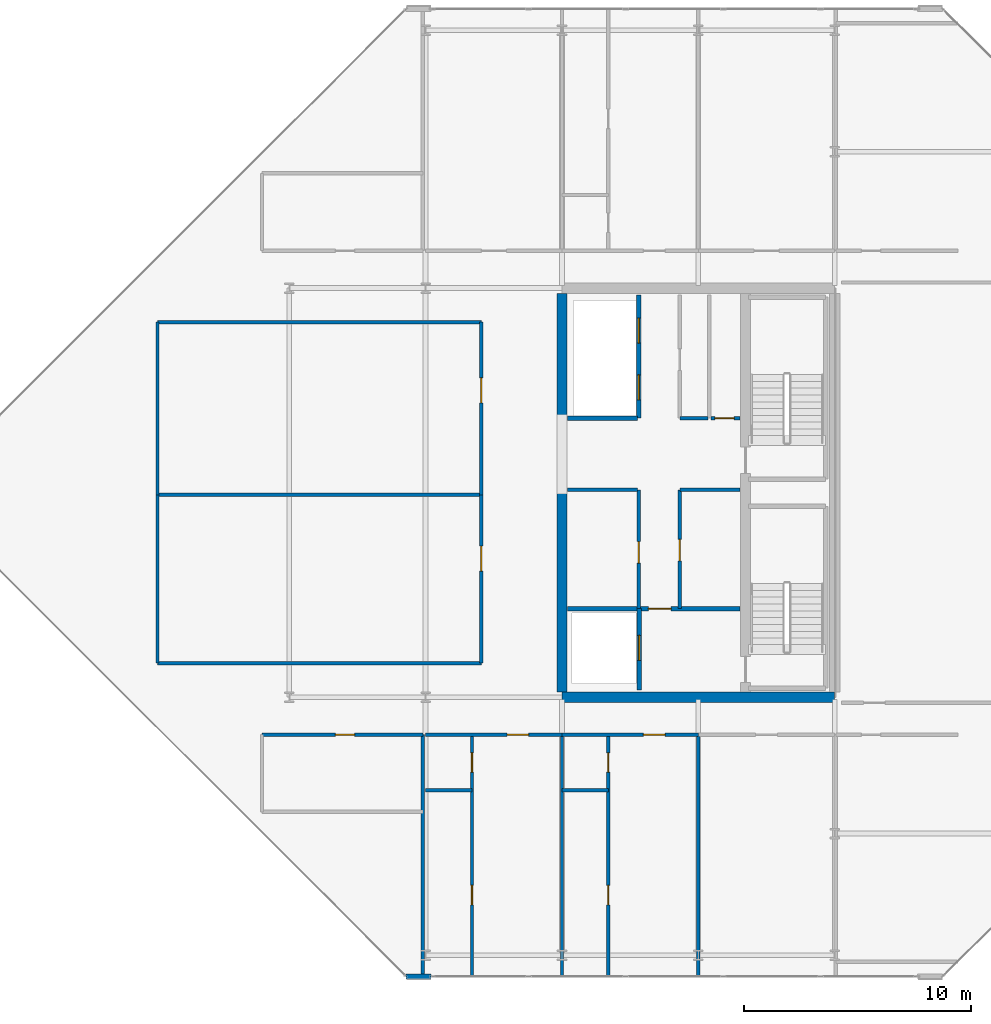
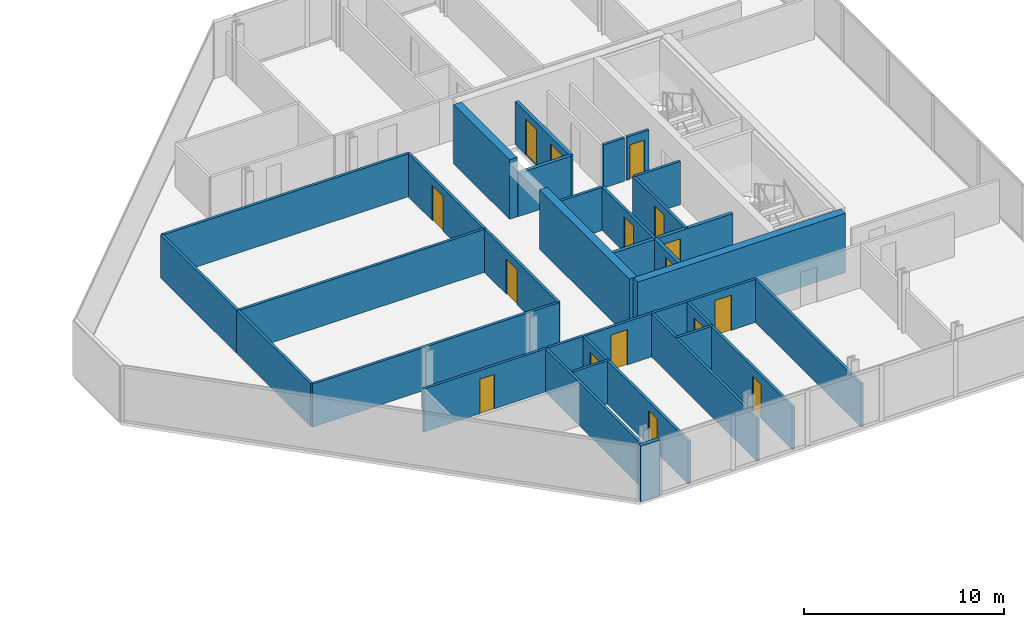
# One storey, part 15 of 19: 31 walls, 16 doors, 16 openings.
"""IFC4 building model written with IfcOpenShell, lengths in metres."""

from ifc_helpers import new_model, si_unit, direction, frame, frame_2d, origin, place, context, subcontext, project, spatial, rectangle, extrude, material, layer, layer_set, type_object, element, fill, save


model = new_model("IFC4")

# Units and contexts
model_context = context("Model", 3, precision=1e-05, world=origin(), true_north=direction((0.0, 1.0)))
body_context = subcontext(model_context, "Body", "Model", "MODEL_VIEW")
ifc_project = project(units=[si_unit("LENGTHUNIT", "METRE"), si_unit("AREAUNIT", "SQUARE_METRE"), si_unit("VOLUMEUNIT", "CUBIC_METRE"), si_unit("PLANEANGLEUNIT", "RADIAN"), si_unit("MASSUNIT", "GRAM", prefix="KILO")], contexts=[model_context])

# Site, building, storey
site_placement = place(None, origin())
site = spatial("IfcSite", under=ifc_project, at=site_placement, CompositionType="ELEMENT")
building_placement = place(site_placement, origin())
building = spatial("IfcBuilding", under=site, at=building_placement, Name="Tanjung Sevakor Pilgrim Tower", CompositionType="ELEMENT")
storey_placement = place(building_placement, frame((0.0, 0.0, 260.699951171875)))
storey = spatial("IfcBuildingStorey", under=building, at=storey_placement, Name="L73", CompositionType="ELEMENT", Elevation=260.699951171875)

# Walls
ifc_material_1 = material(Name="Concrete C60/75", Category="concrete")
ifc_layer_1 = layer(ifc_material_1, 0.449951171875)
ifc_layer_set_1 = layer_set([ifc_layer_1], Name="WALL-CW-450")
wall_type_1 = type_object("IfcWallType", Name="WALL-CW-450", PredefinedType="SHEAR", material=ifc_layer_set_1)
wall_1_placement = place(storey_placement, frame((78.0, 24.60009765625, 0.0), z_axis=(0.0, 0.0, 1.0), x_axis=(1.0, 0.0, 0.0)))
element("IfcWall", 1, at=wall_1_placement, inside=storey, type_object=wall_type_1, Name="L73 E Core South Shear Wall", PredefinedType="SHEAR", context=body_context, shape_type="SweptSolid", body=[
    extrude(rectangle(XDim=12.0, YDim=0.449951171875, at=frame_2d((6.0, 0.0))), origin(), (0.0, 0.0, 1.0), 3.630126953125),
])
wall_2_placement = place(storey_placement, frame((78.0, 24.824951171875, 0.0), z_axis=(0.0, 0.0, 1.0), x_axis=(0.0, 1.0, 0.0)))
element("IfcWall", 2, at=wall_2_placement, inside=storey, type_object=wall_type_1, Name="L73 E Core Inner Shear Wall South", PredefinedType="SHEAR", context=body_context, shape_type="SweptSolid", body=[
    extrude(rectangle(XDim=8.97509765625, YDim=0.449951171875, at=frame_2d((4.487548828125, 0.0))), origin(), (0.0, 0.0, 1.0), 3.630126953125),
])
wall_3_placement = place(storey_placement, frame((78.0, 36.800048828125, 0.0), z_axis=(0.0, 0.0, 1.0), x_axis=(0.0, 1.0, 0.0)))
element("IfcWall", 3, at=wall_3_placement, inside=storey, type_object=wall_type_1, Name="L73 E Core Inner Shear Wall North", PredefinedType="SHEAR", context=body_context, shape_type="SweptSolid", body=[
    extrude(rectangle(XDim=5.574951171875, YDim=0.449951171875, at=frame_2d((2.78759765625, 0.0))), origin(), (0.0, 0.0, 1.0), 3.630126953125),
])
ifc_material_2 = material(Name="Concrete C40/50", Category="concrete")
ifc_layer_2 = layer(ifc_material_2, 0.14990234375)
ifc_layer_set_2 = layer_set([ifc_layer_2], Name="WT-COMP-150")
wall_type_2 = type_object("IfcWallType", Name="WT-COMP-150", PredefinedType="SOLIDWALL", material=ifc_layer_set_2)
wall_4_placement = place(storey_placement, frame((83.199951171875, 33.719970703125, 0.0), z_axis=(0.0, 0.0, 1.0), x_axis=(1.0, 0.0, 0.0)))
element("IfcWall", 4, at=wall_4_placement, inside=storey, type_object=wall_type_2, Name="L73 Partition IW-L73-003", PredefinedType="SOLIDWALL", context=body_context, shape_type="SweptSolid", body=[
    extrude(rectangle(XDim=2.630126953125, YDim=0.14990234375, at=frame_2d((1.31494140625, 0.0))), origin(), (0.0, 0.0, 1.0), 2.6298828125),
])

# Wall, opening, door
wall_5_placement = place(storey_placement, frame((83.179931640625, 28.5, 0.0), z_axis=(0.0, 0.0, 1.0), x_axis=(0.0, 1.0, 0.0)))
wall_5 = element("IfcWall", 5, at=wall_5_placement, inside=storey, type_object=wall_type_2, Name="L73 Partition IW-L73-004", PredefinedType="SOLIDWALL", context=body_context, shape_type="SweptSolid", body=[
    extrude(rectangle(XDim=5.219970703125, YDim=0.14990234375, at=frame_2d((2.60986328125, 0.0))), origin(), (0.0, 0.0, 1.0), 2.6298828125),
])
opening_1_placement = place(wall_5_placement, frame((2.10009765625, 0.0, 0.0)))
opening_1 = element("IfcOpeningElement", 6, at=opening_1_placement, cuts=wall_5, Name="Opening ID-FD2", PredefinedType="OPENING", context=body_context, shape_type="SweptSolid", body=[
    extrude(rectangle(XDim=0.949951171875, YDim=2.14990234375, at=frame_2d((0.47509765625, 1.074951171875))), frame((0.0, 0.0849609375, 0.0), z_axis=(0.0, -1.0, 0.0), x_axis=(1.0, 0.0, 0.0)), (0.0, 0.0, 1.0), 0.169921875),
])
ifc_material_3 = material(Name="Fire-Rated Timber", Category="wood")
door_type_1 = type_object("IfcDoorType", Name="DT-FIRE-950", OperationType="NOTDEFINED", PredefinedType="DOOR", material=ifc_material_3)
door_1_placement = place(opening_1_placement, origin())
door_1 = element("IfcDoor", 7, at=door_1_placement, inside=storey, type_object=door_type_1, Name="L73 Housekeeping Pantry Door", OperationType="SINGLE_SWING_LEFT", OverallHeight=2.14990234375, OverallWidth=0.949951171875, PredefinedType="DOOR", context=body_context, shape_type="SweptSolid", body=[
    extrude(rectangle(XDim=0.949951171875, YDim=2.14990234375, at=frame_2d((0.47509765625, 1.074951171875))), frame((0.0, 0.02490234375, 0.0), z_axis=(0.0, -1.0, 0.0), x_axis=(1.0, 0.0, 0.0)), (0.0, 0.0, 1.0), 0.050048828125),
])
fill(opening_1, door_1)

# Wall
wall_6_placement = place(storey_placement, frame((78.2451171875, 33.719970703125, 0.0), z_axis=(0.0, 0.0, 1.0), x_axis=(1.0, 0.0, 0.0)))
element("IfcWall", 8, at=wall_6_placement, inside=storey, type_object=wall_type_2, Name="L73 Partition IW-L73-005", PredefinedType="SOLIDWALL", context=body_context, shape_type="SweptSolid", body=[
    extrude(rectangle(XDim=3.074951171875, YDim=0.14990234375, at=frame_2d((1.53759765625, 0.0))), origin(), (0.0, 0.0, 1.0), 2.6298828125),
])

# Wall, opening, door
wall_7_placement = place(storey_placement, frame((81.3798828125, 28.5, 0.0), z_axis=(0.0, 0.0, 1.0), x_axis=(0.0, 1.0, 0.0)))
wall_7 = element("IfcWall", 9, at=wall_7_placement, inside=storey, type_object=wall_type_2, Name="L73 Partition IW-L73-006", PredefinedType="SOLIDWALL", context=body_context, shape_type="SweptSolid", body=[
    extrude(rectangle(XDim=5.219970703125, YDim=0.14990234375, at=frame_2d((2.60986328125, 0.0))), origin(), (0.0, 0.0, 1.0), 2.6298828125),
])
opening_2_placement = place(wall_7_placement, frame((2.0, 0.0, 0.0)))
opening_2 = element("IfcOpeningElement", 10, at=opening_2_placement, cuts=wall_7, Name="Opening ID-FD2", PredefinedType="OPENING", context=body_context, shape_type="SweptSolid", body=[
    extrude(rectangle(XDim=0.949951171875, YDim=2.14990234375, at=frame_2d((0.47509765625, 1.074951171875))), frame((0.0, 0.0849609375, 0.0), z_axis=(0.0, -1.0, 0.0), x_axis=(1.0, 0.0, 0.0)), (0.0, 0.0, 1.0), 0.169921875),
])
door_2_placement = place(opening_2_placement, origin())
door_2 = element("IfcDoor", 11, at=door_2_placement, inside=storey, type_object=door_type_1, Name="L73 Accessible WC Door", OperationType="SINGLE_SWING_RIGHT", OverallHeight=2.14990234375, OverallWidth=0.949951171875, PredefinedType="DOOR", context=body_context, shape_type="SweptSolid", body=[
    extrude(rectangle(XDim=0.949951171875, YDim=2.14990234375, at=frame_2d((0.47509765625, 1.074951171875))), frame((0.0, 0.02490234375, 0.0), z_axis=(0.0, -1.0, 0.0), x_axis=(1.0, 0.0, 0.0)), (0.0, 0.0, 1.0), 0.050048828125),
])
fill(opening_2, door_2)

wall_8_placement = place(storey_placement, frame((84.550048828125, 36.8798828125, 0.0), z_axis=(0.0, 0.0, 1.0), x_axis=(1.0, 0.0, 0.0)))
wall_8 = element("IfcWall", 12, at=wall_8_placement, inside=storey, type_object=wall_type_2, Name="L73 Partition IW-L73-008", PredefinedType="SOLIDWALL", context=body_context, shape_type="SweptSolid", body=[
    extrude(rectangle(XDim=1.280029296875, YDim=0.14990234375, at=frame_2d((0.64013671875, 0.0))), origin(), (0.0, 0.0, 1.0), 2.6298828125),
])
opening_3_placement = place(wall_8_placement, frame((0.179931640625, 0.0, 0.0)))
opening_3 = element("IfcOpeningElement", 13, at=opening_3_placement, cuts=wall_8, Name="Opening ID-FD3", PredefinedType="OPENING", context=body_context, shape_type="SweptSolid", body=[
    extrude(rectangle(XDim=0.85009765625, YDim=2.10009765625, at=frame_2d((0.425048828125, 1.050048828125))), frame((0.0, 0.0849609375, 0.0), z_axis=(0.0, -1.0, 0.0), x_axis=(1.0, 0.0, 0.0)), (0.0, 0.0, 1.0), 0.169921875),
])
ifc_material_4 = material(Name="Fire-Rated Timber", Category="wood")
door_type_2 = type_object("IfcDoorType", Name="DT-FIRE-850", OperationType="NOTDEFINED", PredefinedType="DOOR", material=ifc_material_4)
door_3_placement = place(opening_3_placement, origin())
door_3 = element("IfcDoor", 14, at=door_3_placement, inside=storey, type_object=door_type_2, Name="L73 Service Store Door", OperationType="SINGLE_SWING_LEFT", OverallHeight=2.10009765625, OverallWidth=0.85009765625, PredefinedType="DOOR", context=body_context, shape_type="SweptSolid", body=[
    extrude(rectangle(XDim=0.85009765625, YDim=2.10009765625, at=frame_2d((0.425048828125, 1.050048828125))), frame((0.0, 0.02490234375, 0.0), z_axis=(0.0, -1.0, 0.0), x_axis=(1.0, 0.0, 0.0)), (0.0, 0.0, 1.0), 0.050048828125),
])
fill(opening_3, door_3)

# Wall
wall_9_placement = place(storey_placement, frame((83.199951171875, 36.8798828125, 0.0), z_axis=(0.0, 0.0, 1.0), x_axis=(1.0, 0.0, 0.0)))
element("IfcWall", 15, at=wall_9_placement, inside=storey, type_object=wall_type_2, Name="L73 Partition IW-L73-009", PredefinedType="SOLIDWALL", context=body_context, shape_type="SweptSolid", body=[
    extrude(rectangle(XDim=1.219970703125, YDim=0.14990234375, at=frame_2d((0.60986328125, 0.0))), origin(), (0.0, 0.0, 1.0), 2.6298828125),
])

# Wall, opening, door
wall_10_placement = place(storey_placement, frame((64.800048828125, 22.949951171875, 0.0), z_axis=(0.0, 0.0, 1.0), x_axis=(1.0, 0.0, 0.0)))
wall_10 = element("IfcWall", 16, at=wall_10_placement, inside=storey, type_object=wall_type_2, Name="L73 Partition IW-L73-014", PredefinedType="SOLIDWALL", context=body_context, shape_type="SweptSolid", body=[
    extrude(rectangle(XDim=7.079833984375, YDim=0.14990234375, at=frame_2d((3.5400390625, 0.0))), origin(), (0.0, 0.0, 1.0), 2.6298828125),
])
opening_4_placement = place(wall_10_placement, frame((3.22509765625, 0.0, 0.0)))
opening_4 = element("IfcOpeningElement", 17, at=opening_4_placement, cuts=wall_10, Name="Opening ID-WC1", PredefinedType="OPENING", context=body_context, shape_type="SweptSolid", body=[
    extrude(rectangle(XDim=0.85009765625, YDim=2.10009765625, at=frame_2d((0.425048828125, 1.050048828125))), frame((0.0, 0.0849609375, 0.0), z_axis=(0.0, -1.0, 0.0), x_axis=(1.0, 0.0, 0.0)), (0.0, 0.0, 1.0), 0.169921875),
])
ifc_material_5 = material(Name="Moisture-Resistant Timber", Category="wood")
door_type_3 = type_object("IfcDoorType", Name="DT-INT-850", OperationType="NOTDEFINED", PredefinedType="DOOR", material=ifc_material_5)
door_4_placement = place(opening_4_placement, origin())
door_4 = element("IfcDoor", 18, at=door_4_placement, inside=storey, type_object=door_type_3, Name="L73 SW Crown Suite Door", OperationType="SINGLE_SWING_LEFT", OverallHeight=2.10009765625, OverallWidth=0.85009765625, PredefinedType="DOOR", context=body_context, shape_type="SweptSolid", body=[
    extrude(rectangle(XDim=0.85009765625, YDim=2.10009765625, at=frame_2d((0.425048828125, 1.050048828125))), frame((0.0, 0.02490234375, 0.0), z_axis=(0.0, -1.0, 0.0), x_axis=(1.0, 0.0, 0.0)), (0.0, 0.0, 1.0), 0.050048828125),
])
fill(opening_4, door_4)

# Walls
for number, where, z_axis, x_axis, name in (
    (19, (71.8798828125, 12.340087890625, 0.0), (0.0, 0.0, 1.0), (0.0, 1.0, 0.0), "L73 Partition IW-L73-016"),
    (20, (78.0, 12.340087890625, 0.0), (0.0, 0.0, 1.0), (0.0, 1.0, 0.0), "L73 Partition IW-L73-029"),
):
    element("IfcWall", number, at=place(storey_placement, frame(where, z_axis=z_axis, x_axis=x_axis)), inside=storey, type_object=wall_type_2, Name=name, PredefinedType="SOLIDWALL", context=body_context, shape_type="SweptSolid", body=[
        extrude(rectangle(XDim=10.60986328125, YDim=0.14990234375, at=frame_2d((5.304931640625, 0.0))), origin(), (0.0, 0.0, 1.0), 2.6298828125),
    ])

# Wall, opening, door
wall_11_placement = place(storey_placement, frame((72.0, 22.949951171875, 0.0), z_axis=(0.0, 0.0, 1.0), x_axis=(1.0, 0.0, 0.0)))
wall_11 = element("IfcWall", 21, at=wall_11_placement, inside=storey, type_object=wall_type_2, Name="L73 Partition IW-L73-032", PredefinedType="SOLIDWALL", context=body_context, shape_type="SweptSolid", body=[
    extrude(rectangle(XDim=6.0, YDim=0.14990234375, at=frame_2d((3.0, 0.0))), origin(), (0.0, 0.0, 1.0), 2.6298828125),
])
opening_5_placement = place(wall_11_placement, frame((3.5849609375, 0.0, 0.0)))
opening_5 = element("IfcOpeningElement", 22, at=opening_5_placement, cuts=wall_11, Name="Opening ID-FD2", PredefinedType="OPENING", context=body_context, shape_type="SweptSolid", body=[
    extrude(rectangle(XDim=0.949951171875, YDim=2.14990234375, at=frame_2d((0.47509765625, 1.074951171875))), frame((0.0, 0.0849609375, 0.0), z_axis=(0.0, -1.0, 0.0), x_axis=(1.0, 0.0, 0.0)), (0.0, 0.0, 1.0), 0.169921875),
])
door_5_placement = place(opening_5_placement, origin())
door_5 = element("IfcDoor", 23, at=door_5_placement, inside=storey, type_object=door_type_1, Name="Hostel Quad Entrance", OperationType="SINGLE_SWING_RIGHT", OverallHeight=2.14990234375, OverallWidth=0.949951171875, PredefinedType="DOOR", context=body_context, shape_type="SweptSolid", body=[
    extrude(rectangle(XDim=0.949951171875, YDim=2.14990234375, at=frame_2d((0.47509765625, 1.074951171875))), frame((0.0, 0.02490234375, 0.0), z_axis=(0.0, -1.0, 0.0), x_axis=(1.0, 0.0, 0.0)), (0.0, 0.0, 1.0), 0.050048828125),
])
fill(opening_5, door_5)

# Wall
wall_12_placement = place(storey_placement, frame((84.0, 12.340087890625, 0.0), z_axis=(0.0, 0.0, 1.0), x_axis=(0.0, 1.0, 0.0)))
element("IfcWall", 24, at=wall_12_placement, inside=storey, type_object=wall_type_2, Name="L73 Partition IW-L73-033", PredefinedType="SOLIDWALL", context=body_context, shape_type="SweptSolid", body=[
    extrude(rectangle(XDim=10.60986328125, YDim=0.14990234375, at=frame_2d((5.304931640625, 0.0))), origin(), (0.0, 0.0, 1.0), 2.6298828125),
])

# Wall, opening, door
wall_13_placement = place(storey_placement, frame((78.0, 22.949951171875, 0.0), z_axis=(0.0, 0.0, 1.0), x_axis=(1.0, 0.0, 0.0)))
wall_13 = element("IfcWall", 25, at=wall_13_placement, inside=storey, type_object=wall_type_2, Name="L73 Partition IW-L73-036", PredefinedType="SOLIDWALL", context=body_context, shape_type="SweptSolid", body=[
    extrude(rectangle(XDim=6.0, YDim=0.14990234375, at=frame_2d((3.0, 0.0))), origin(), (0.0, 0.0, 1.0), 2.6298828125),
])
opening_6_placement = place(wall_13_placement, frame((3.5849609375, 0.0, 0.0)))
opening_6 = element("IfcOpeningElement", 26, at=opening_6_placement, cuts=wall_13, Name="Opening ID-FD2", PredefinedType="OPENING", context=body_context, shape_type="SweptSolid", body=[
    extrude(rectangle(XDim=0.949951171875, YDim=2.14990234375, at=frame_2d((0.47509765625, 1.074951171875))), frame((0.0, 0.0849609375, 0.0), z_axis=(0.0, -1.0, 0.0), x_axis=(1.0, 0.0, 0.0)), (0.0, 0.0, 1.0), 0.169921875),
])
door_6_placement = place(opening_6_placement, origin())
door_6 = element("IfcDoor", 27, at=door_6_placement, inside=storey, type_object=door_type_1, Name="Hotel Guestroom Entrance", OperationType="SINGLE_SWING_LEFT", OverallHeight=2.14990234375, OverallWidth=0.949951171875, PredefinedType="DOOR", context=body_context, shape_type="SweptSolid", body=[
    extrude(rectangle(XDim=0.949951171875, YDim=2.14990234375, at=frame_2d((0.47509765625, 1.074951171875))), frame((0.0, 0.02490234375, 0.0), z_axis=(0.0, -1.0, 0.0), x_axis=(1.0, 0.0, 0.0)), (0.0, 0.0, 1.0), 0.050048828125),
])
fill(opening_6, door_6)

# Walls
for number, where, z_axis, x_axis, name in (
    (28, (60.199951171875, 26.10009765625, 0.0), (0.0, 0.0, 1.0), (1.0, 0.0, 0.0), "L73 Partition IW-L73-045"),
    (29, (60.199951171875, 33.5, 0.0), (0.0, 0.0, 1.0), (1.0, 0.0, 0.0), "L73 Partition IW-L73-046"),
):
    element("IfcWall", number, at=place(storey_placement, frame(where, z_axis=z_axis, x_axis=x_axis)), inside=storey, type_object=wall_type_2, Name=name, PredefinedType="SOLIDWALL", context=body_context, shape_type="SweptSolid", body=[
        extrude(rectangle(XDim=14.25, YDim=0.14990234375, at=frame_2d((7.125, 0.0))), origin(), (0.0, 0.0, 1.0), 2.6298828125),
    ])
wall_14_placement = place(storey_placement, frame((60.199951171875, 26.10009765625, 0.0), z_axis=(0.0, 0.0, 1.0), x_axis=(0.0, 1.0, 0.0)))
element("IfcWall", 30, at=wall_14_placement, inside=storey, type_object=wall_type_2, Name="L73 Partition IW-L73-047", PredefinedType="SOLIDWALL", context=body_context, shape_type="SweptSolid", body=[
    extrude(rectangle(XDim=7.39990234375, YDim=0.14990234375, at=frame_2d((3.699951171875, 0.0))), origin(), (0.0, 0.0, 1.0), 2.6298828125),
])

# Wall, opening, door
wall_15_placement = place(storey_placement, frame((74.449951171875, 26.10009765625, 0.0), z_axis=(0.0, 0.0, 1.0), x_axis=(0.0, 1.0, 0.0)))
wall_15 = element("IfcWall", 31, at=wall_15_placement, inside=storey, type_object=wall_type_2, Name="L73 Partition IW-L73-048", PredefinedType="SOLIDWALL", context=body_context, shape_type="SweptSolid", body=[
    extrude(rectangle(XDim=7.39990234375, YDim=0.14990234375, at=frame_2d((3.699951171875, 0.0))), origin(), (0.0, 0.0, 1.0), 2.6298828125),
])
opening_7_placement = place(wall_15_placement, frame((4.050048828125, 0.0, 0.0)))
opening_7 = element("IfcOpeningElement", 32, at=opening_7_placement, cuts=wall_15, Name="Opening ID-RM2", PredefinedType="OPENING", context=body_context, shape_type="SweptSolid", body=[
    extrude(rectangle(XDim=1.10009765625, YDim=2.14990234375, at=frame_2d((0.550048828125, 1.074951171875))), frame((0.0, 0.0849609375, 0.0), z_axis=(0.0, -1.0, 0.0), x_axis=(1.0, 0.0, 0.0)), (0.0, 0.0, 1.0), 0.169921875),
])
ifc_material_6 = material(Name="Hardwood Timber", Category="wood")
door_type_4 = type_object("IfcDoorType", Name="DT-INT-1100", OperationType="NOTDEFINED", PredefinedType="DOOR", material=ifc_material_6)
door_7_placement = place(opening_7_placement, origin())
door_7 = element("IfcDoor", 33, at=door_7_placement, inside=storey, type_object=door_type_4, Name="L73 Crown Chapel Door", OperationType="SINGLE_SWING_RIGHT", OverallHeight=2.14990234375, OverallWidth=1.10009765625, PredefinedType="DOOR", context=body_context, shape_type="SweptSolid", body=[
    extrude(rectangle(XDim=1.10009765625, YDim=2.14990234375, at=frame_2d((0.550048828125, 1.074951171875))), frame((0.0, 0.02490234375, 0.0), z_axis=(0.0, -1.0, 0.0), x_axis=(1.0, 0.0, 0.0)), (0.0, 0.0, 1.0), 0.050048828125),
])
fill(opening_7, door_7)

# Walls
wall_16_placement = place(storey_placement, frame((60.199951171875, 41.10009765625, 0.0), z_axis=(0.0, 0.0, 1.0), x_axis=(1.0, 0.0, 0.0)))
element("IfcWall", 34, at=wall_16_placement, inside=storey, type_object=wall_type_2, Name="L73 Partition IW-L73-049", PredefinedType="SOLIDWALL", context=body_context, shape_type="SweptSolid", body=[
    extrude(rectangle(XDim=14.25, YDim=0.14990234375, at=frame_2d((7.125, 0.0))), origin(), (0.0, 0.0, 1.0), 2.6298828125),
])
wall_17_placement = place(storey_placement, frame((60.199951171875, 33.5, 0.0), z_axis=(0.0, 0.0, 1.0), x_axis=(0.0, 1.0, 0.0)))
element("IfcWall", 35, at=wall_17_placement, inside=storey, type_object=wall_type_2, Name="L73 Partition IW-L73-050", PredefinedType="SOLIDWALL", context=body_context, shape_type="SweptSolid", body=[
    extrude(rectangle(XDim=7.60009765625, YDim=0.14990234375, at=frame_2d((3.800048828125, 0.0))), origin(), (0.0, 0.0, 1.0), 2.6298828125),
])

# Wall, opening, door
wall_18_placement = place(storey_placement, frame((74.449951171875, 33.5, 0.0), z_axis=(0.0, 0.0, 1.0), x_axis=(0.0, 1.0, 0.0)))
wall_18 = element("IfcWall", 36, at=wall_18_placement, inside=storey, type_object=wall_type_2, Name="L73 Partition IW-L73-051", PredefinedType="SOLIDWALL", context=body_context, shape_type="SweptSolid", body=[
    extrude(rectangle(XDim=7.60009765625, YDim=0.14990234375, at=frame_2d((3.800048828125, 0.0))), origin(), (0.0, 0.0, 1.0), 2.6298828125),
])
opening_8_placement = place(wall_18_placement, frame((4.050048828125, 0.0, 0.0)))
opening_8 = element("IfcOpeningElement", 37, at=opening_8_placement, cuts=wall_18, Name="Opening ID-RM2", PredefinedType="OPENING", context=body_context, shape_type="SweptSolid", body=[
    extrude(rectangle(XDim=1.10009765625, YDim=2.14990234375, at=frame_2d((0.550048828125, 1.074951171875))), frame((0.0, 0.0849609375, 0.0), z_axis=(0.0, -1.0, 0.0), x_axis=(1.0, 0.0, 0.0)), (0.0, 0.0, 1.0), 0.169921875),
])
door_8_placement = place(opening_8_placement, origin())
door_8 = element("IfcDoor", 38, at=door_8_placement, inside=storey, type_object=door_type_4, Name="L73 Crown Lounge Door", OperationType="SINGLE_SWING_LEFT", OverallHeight=2.14990234375, OverallWidth=1.10009765625, PredefinedType="DOOR", context=body_context, shape_type="SweptSolid", body=[
    extrude(rectangle(XDim=1.10009765625, YDim=2.14990234375, at=frame_2d((0.550048828125, 1.074951171875))), frame((0.0, 0.02490234375, 0.0), z_axis=(0.0, -1.0, 0.0), x_axis=(1.0, 0.0, 0.0)), (0.0, 0.0, 1.0), 0.050048828125),
])
fill(opening_8, door_8)

# Wall
ifc_material_7 = material(Name="Precast concrete C45/55", Category="concrete")
ifc_layer_3 = layer(ifc_material_7, 0.219970703125)
ifc_layer_set_3 = layer_set([ifc_layer_3], Name="WT-EW-STN4")
wall_type_3 = type_object("IfcWallType", Name="WT-EW-STN4", PredefinedType="SOLIDWALL", material=ifc_layer_set_3)
wall_19_placement = place(storey_placement, frame((71.1455078125, 12.31005859375, 0.0), z_axis=(0.0, 0.0, 1.0), x_axis=(1.0, 0.0, 0.0)))
element("IfcWall", 39, at=wall_19_placement, inside=storey, type_object=wall_type_3, Name="L73 EAST Crown Pier 0-1A", PredefinedType="SOLIDWALL", context=body_context, shape_type="SweptSolid", body=[
    extrude(rectangle(XDim=1.10009765625, YDim=0.219970703125, at=frame_2d((0.550048828125, 0.0))), origin(), (0.0, 0.0, 1.0), 3.409912109375),
])

# Wall, opening, door
ifc_material_8 = material(Name="Concrete C40/50", Category="concrete")
ifc_layer_4 = layer(ifc_material_8, 0.199951171875)
ifc_layer_set_4 = layer_set([ifc_layer_4], Name="WT-FPRT-200")
wall_type_4 = type_object("IfcWallType", Name="WT-FPRT-200", PredefinedType="SOLIDWALL", material=ifc_layer_set_4)
wall_20_placement = place(storey_placement, frame((81.39990234375, 24.919921875, 0.0), z_axis=(0.0, 0.0, 1.0), x_axis=(0.0, 1.0, 0.0)))
wall_20 = element("IfcWall", 40, at=wall_20_placement, inside=storey, type_object=wall_type_4, Name="L73 Partition IW-L73-001", PredefinedType="SOLIDWALL", context=body_context, shape_type="SweptSolid", body=[
    extrude(rectangle(XDim=3.580078125, YDim=0.199951171875, at=frame_2d((1.7900390625, 0.0))), origin(), (0.0, 0.0, 1.0), 2.6298828125),
])
opening_9_placement = place(wall_20_placement, frame((1.300048828125, 0.0, 0.0)))
opening_9 = element("IfcOpeningElement", 41, at=opening_9_placement, cuts=wall_20, Name="Opening LD-1100", PredefinedType="OPENING", context=body_context, shape_type="SweptSolid", body=[
    extrude(rectangle(XDim=1.10009765625, YDim=2.199951171875, at=frame_2d((0.550048828125, 1.10009765625))), frame((0.0, 0.10986328125, 0.0), z_axis=(0.0, -1.0, 0.0), x_axis=(1.0, 0.0, 0.0)), (0.0, 0.0, 1.0), 0.219970703125),
])
ifc_material_9 = material(Name="Brushed Stainless Steel S355J2", Category="steel")
door_type_5 = type_object("IfcDoorType", Name="DT-LIFT-1100", OperationType="SLIDING_TO_LEFT", PredefinedType="DOOR", material=ifc_material_9)
door_9_placement = place(opening_9_placement, origin())
door_9 = element("IfcDoor", 42, at=door_9_placement, inside=storey, type_object=door_type_5, Name="LD-FL-E", OperationType="SLIDING_TO_LEFT", OverallHeight=2.199951171875, OverallWidth=1.10009765625, PredefinedType="DOOR", context=body_context, shape_type="SweptSolid", body=[
    extrude(rectangle(XDim=1.10009765625, YDim=2.199951171875, at=frame_2d((0.550048828125, 1.10009765625))), frame((0.0, 0.02490234375, 0.0), z_axis=(0.0, -1.0, 0.0), x_axis=(1.0, 0.0, 0.0)), (0.0, 0.0, 1.0), 0.050048828125),
])
fill(opening_9, door_9)

wall_21_placement = place(storey_placement, frame((78.2451171875, 28.5, 0.0), z_axis=(0.0, 0.0, 1.0), x_axis=(1.0, 0.0, 0.0)))
wall_21 = element("IfcWall", 43, at=wall_21_placement, inside=storey, type_object=wall_type_4, Name="L73 Partition IW-L73-002", PredefinedType="SOLIDWALL", context=body_context, shape_type="SweptSolid", body=[
    extrude(rectangle(XDim=7.5849609375, YDim=0.199951171875, at=frame_2d((3.79248046875, 0.0))), origin(), (0.0, 0.0, 1.0), 2.6298828125),
])
opening_10_placement = place(wall_21_placement, frame((3.554931640625, 0.0, 0.0)))
opening_10 = element("IfcOpeningElement", 44, at=opening_10_placement, cuts=wall_21, Name="Opening ID-FD1", PredefinedType="OPENING", context=body_context, shape_type="SweptSolid", body=[
    extrude(rectangle(XDim=1.0, YDim=2.14990234375, at=frame_2d((0.5, 1.074951171875))), frame((0.0, 0.10986328125, 0.0), z_axis=(0.0, -1.0, 0.0), x_axis=(1.0, 0.0, 0.0)), (0.0, 0.0, 1.0), 0.219970703125),
])
ifc_material_10 = material(Name="Fire-Rated Steel S355J2", Category="steel")
door_type_6 = type_object("IfcDoorType", Name="DT-FIRE-1000", OperationType="NOTDEFINED", PredefinedType="DOOR", material=ifc_material_10)
door_10_placement = place(opening_10_placement, origin())
door_10 = element("IfcDoor", 45, at=door_10_placement, inside=storey, type_object=door_type_6, Name="Fire Lobby Door E", OperationType="SINGLE_SWING_RIGHT", OverallHeight=2.14990234375, OverallWidth=1.0, PredefinedType="DOOR", context=body_context, shape_type="SweptSolid", body=[
    extrude(rectangle(XDim=1.0, YDim=2.14990234375, at=frame_2d((0.5, 1.074951171875))), frame((0.0, 0.02490234375, 0.0), z_axis=(0.0, -1.0, 0.0), x_axis=(1.0, 0.0, 0.0)), (0.0, 0.0, 1.0), 0.050048828125),
])
fill(opening_10, door_10)

# Wall
wall_22_placement = place(storey_placement, frame((78.2451171875, 36.8798828125, 0.0), z_axis=(0.0, 0.0, 1.0), x_axis=(1.0, 0.0, 0.0)))
element("IfcWall", 46, at=wall_22_placement, inside=storey, type_object=wall_type_4, Name="L73 Partition IW-L73-011", PredefinedType="SOLIDWALL", context=body_context, shape_type="SweptSolid", body=[
    extrude(rectangle(XDim=3.074951171875, YDim=0.199951171875, at=frame_2d((1.53759765625, 0.0))), origin(), (0.0, 0.0, 1.0), 2.6298828125),
])

# Wall, openings, doors
wall_23_placement = place(storey_placement, frame((81.3798828125, 36.8798828125, 0.0), z_axis=(0.0, 0.0, 1.0), x_axis=(0.0, 1.0, 0.0)))
wall_23 = element("IfcWall", 47, at=wall_23_placement, inside=storey, type_object=wall_type_4, Name="L73 Partition IW-L73-012", PredefinedType="SOLIDWALL", context=body_context, shape_type="SweptSolid", body=[
    extrude(rectangle(XDim=5.420166015625, YDim=0.199951171875, at=frame_2d((2.7099609375, 0.0))), origin(), (0.0, 0.0, 1.0), 2.6298828125),
])
opening_11_placement = place(wall_23_placement, frame((0.800048828125, 0.0, 0.0)))
opening_11 = element("IfcOpeningElement", 48, at=opening_11_placement, cuts=wall_23, Name="Opening LD-1100", PredefinedType="OPENING", context=body_context, shape_type="SweptSolid", body=[
    extrude(rectangle(XDim=1.10009765625, YDim=2.199951171875, at=frame_2d((0.550048828125, 1.10009765625))), frame((0.0, 0.10986328125, 0.0), z_axis=(0.0, -1.0, 0.0), x_axis=(1.0, 0.0, 0.0)), (0.0, 0.0, 1.0), 0.219970703125),
])
opening_12_placement = place(wall_23_placement, frame((3.300048828125, 0.0, 0.0)))
opening_12 = element("IfcOpeningElement", 49, at=opening_12_placement, cuts=wall_23, Name="Opening LD-1100", PredefinedType="OPENING", context=body_context, shape_type="SweptSolid", body=[
    extrude(rectangle(XDim=1.10009765625, YDim=2.199951171875, at=frame_2d((0.550048828125, 1.10009765625))), frame((0.0, 0.10986328125, 0.0), z_axis=(0.0, -1.0, 0.0), x_axis=(1.0, 0.0, 0.0)), (0.0, 0.0, 1.0), 0.219970703125),
])
door_11_placement = place(opening_11_placement, origin())
door_11 = element("IfcDoor", 50, at=door_11_placement, inside=storey, type_object=door_type_5, Name="LD-PLH1-E", OperationType="SLIDING_TO_LEFT", OverallHeight=2.199951171875, OverallWidth=1.10009765625, PredefinedType="DOOR", context=body_context, shape_type="SweptSolid", body=[
    extrude(rectangle(XDim=1.10009765625, YDim=2.199951171875, at=frame_2d((0.550048828125, 1.10009765625))), frame((0.0, 0.02490234375, 0.0), z_axis=(0.0, -1.0, 0.0), x_axis=(1.0, 0.0, 0.0)), (0.0, 0.0, 1.0), 0.050048828125),
])
fill(opening_11, door_11)
door_12_placement = place(opening_12_placement, origin())
door_12 = element("IfcDoor", 51, at=door_12_placement, inside=storey, type_object=door_type_5, Name="LD-PLH2-E", OperationType="SLIDING_TO_RIGHT", OverallHeight=2.199951171875, OverallWidth=1.10009765625, PredefinedType="DOOR", context=body_context, shape_type="SweptSolid", body=[
    extrude(rectangle(XDim=1.10009765625, YDim=2.199951171875, at=frame_2d((0.550048828125, 1.10009765625))), frame((0.0, 0.02490234375, 0.0), z_axis=(0.0, -1.0, 0.0), x_axis=(1.0, 0.0, 0.0)), (0.0, 0.0, 1.0), 0.050048828125),
])
fill(opening_12, door_12)

# Wall
ifc_material_11 = material(Name="Gypsum Board Partition", Category="gypsum board")
ifc_layer_5 = layer(ifc_material_11, 0.14990234375)
ifc_layer_set_5 = layer_set([ifc_layer_5], Name="WT-PART-150")
wall_type_5 = type_object("IfcWallType", Name="WT-PART-150", PredefinedType="PARTITIONING", material=ifc_layer_set_5)
wall_24_placement = place(storey_placement, frame((72.0, 20.5, 0.0), z_axis=(0.0, 0.0, 1.0), x_axis=(1.0, 0.0, 0.0)))
element("IfcWall", 52, at=wall_24_placement, inside=storey, type_object=wall_type_5, Name="L73 Partition IW-L73-030", PredefinedType="PARTITIONING", context=body_context, shape_type="SweptSolid", body=[
    extrude(rectangle(XDim=2.0400390625, YDim=0.14990234375, at=frame_2d((1.02001953125, 0.0))), origin(), (0.0, 0.0, 1.0), 2.6298828125),
])

# Wall, openings, doors
wall_25_placement = place(storey_placement, frame((74.0400390625, 12.340087890625, 0.0), z_axis=(0.0, 0.0, 1.0), x_axis=(0.0, 1.0, 0.0)))
wall_25 = element("IfcWall", 53, at=wall_25_placement, inside=storey, type_object=wall_type_5, Name="L73 Partition IW-L73-031", PredefinedType="PARTITIONING", context=body_context, shape_type="SweptSolid", body=[
    extrude(rectangle(XDim=10.60986328125, YDim=0.14990234375, at=frame_2d((5.304931640625, 0.0))), origin(), (0.0, 0.0, 1.0), 2.6298828125),
])
opening_13_placement = place(wall_25_placement, frame((3.1240234375, 0.0, 0.0)))
opening_13 = element("IfcOpeningElement", 54, at=opening_13_placement, cuts=wall_25, Name="Opening ID-WC1", PredefinedType="OPENING", context=body_context, shape_type="SweptSolid", body=[
    extrude(rectangle(XDim=0.85009765625, YDim=2.10009765625, at=frame_2d((0.425048828125, 1.050048828125))), frame((0.0, 0.0849609375, 0.0), z_axis=(0.0, -1.0, 0.0), x_axis=(1.0, 0.0, 0.0)), (0.0, 0.0, 1.0), 0.169921875),
])
opening_14_placement = place(wall_25_placement, frame((8.9599609375, 0.0, 0.0)))
opening_14 = element("IfcOpeningElement", 55, at=opening_14_placement, cuts=wall_25, Name="Opening ID-WC1", PredefinedType="OPENING", context=body_context, shape_type="SweptSolid", body=[
    extrude(rectangle(XDim=0.85009765625, YDim=2.10009765625, at=frame_2d((0.425048828125, 1.050048828125))), frame((0.0, 0.0849609375, 0.0), z_axis=(0.0, -1.0, 0.0), x_axis=(1.0, 0.0, 0.0)), (0.0, 0.0, 1.0), 0.169921875),
])
door_13_placement = place(opening_13_placement, origin())
door_13 = element("IfcDoor", 56, at=door_13_placement, inside=storey, type_object=door_type_3, Name="Study Nook Door", OperationType="SINGLE_SWING_RIGHT", OverallHeight=2.10009765625, OverallWidth=0.85009765625, PredefinedType="DOOR", context=body_context, shape_type="SweptSolid", body=[
    extrude(rectangle(XDim=0.85009765625, YDim=2.10009765625, at=frame_2d((0.425048828125, 1.050048828125))), frame((0.0, 0.02490234375, 0.0), z_axis=(0.0, -1.0, 0.0), x_axis=(1.0, 0.0, 0.0)), (0.0, 0.0, 1.0), 0.050048828125),
])
fill(opening_13, door_13)
door_14_placement = place(opening_14_placement, origin())
door_14 = element("IfcDoor", 57, at=door_14_placement, inside=storey, type_object=door_type_3, Name="Bathroom Door", OperationType="SINGLE_SWING_LEFT", OverallHeight=2.10009765625, OverallWidth=0.85009765625, PredefinedType="DOOR", context=body_context, shape_type="SweptSolid", body=[
    extrude(rectangle(XDim=0.85009765625, YDim=2.10009765625, at=frame_2d((0.425048828125, 1.050048828125))), frame((0.0, 0.02490234375, 0.0), z_axis=(0.0, -1.0, 0.0), x_axis=(1.0, 0.0, 0.0)), (0.0, 0.0, 1.0), 0.050048828125),
])
fill(opening_14, door_14)

# Wall
wall_26_placement = place(storey_placement, frame((78.0, 20.5, 0.0), z_axis=(0.0, 0.0, 1.0), x_axis=(1.0, 0.0, 0.0)))
element("IfcWall", 58, at=wall_26_placement, inside=storey, type_object=wall_type_5, Name="L73 Partition IW-L73-034", PredefinedType="PARTITIONING", context=body_context, shape_type="SweptSolid", body=[
    extrude(rectangle(XDim=2.0400390625, YDim=0.14990234375, at=frame_2d((1.02001953125, 0.0))), origin(), (0.0, 0.0, 1.0), 2.6298828125),
])

# Wall, openings, doors
wall_27_placement = place(storey_placement, frame((80.0400390625, 12.340087890625, 0.0), z_axis=(0.0, 0.0, 1.0), x_axis=(0.0, 1.0, 0.0)))
wall_27 = element("IfcWall", 59, at=wall_27_placement, inside=storey, type_object=wall_type_5, Name="L73 Partition IW-L73-035", PredefinedType="PARTITIONING", context=body_context, shape_type="SweptSolid", body=[
    extrude(rectangle(XDim=10.60986328125, YDim=0.14990234375, at=frame_2d((5.304931640625, 0.0))), origin(), (0.0, 0.0, 1.0), 2.6298828125),
])
opening_15_placement = place(wall_27_placement, frame((3.1240234375, 0.0, 0.0)))
opening_15 = element("IfcOpeningElement", 60, at=opening_15_placement, cuts=wall_27, Name="Opening ID-WC1", PredefinedType="OPENING", context=body_context, shape_type="SweptSolid", body=[
    extrude(rectangle(XDim=0.85009765625, YDim=2.10009765625, at=frame_2d((0.425048828125, 1.050048828125))), frame((0.0, 0.0849609375, 0.0), z_axis=(0.0, -1.0, 0.0), x_axis=(1.0, 0.0, 0.0)), (0.0, 0.0, 1.0), 0.169921875),
])
opening_16_placement = place(wall_27_placement, frame((8.9599609375, 0.0, 0.0)))
opening_16 = element("IfcOpeningElement", 61, at=opening_16_placement, cuts=wall_27, Name="Opening ID-WC1", PredefinedType="OPENING", context=body_context, shape_type="SweptSolid", body=[
    extrude(rectangle(XDim=0.85009765625, YDim=2.10009765625, at=frame_2d((0.425048828125, 1.050048828125))), frame((0.0, 0.0849609375, 0.0), z_axis=(0.0, -1.0, 0.0), x_axis=(1.0, 0.0, 0.0)), (0.0, 0.0, 1.0), 0.169921875),
])
door_15_placement = place(opening_15_placement, origin())
door_15 = element("IfcDoor", 62, at=door_15_placement, inside=storey, type_object=door_type_3, Name="Study Nook Door", OperationType="SINGLE_SWING_LEFT", OverallHeight=2.10009765625, OverallWidth=0.85009765625, PredefinedType="DOOR", context=body_context, shape_type="SweptSolid", body=[
    extrude(rectangle(XDim=0.85009765625, YDim=2.10009765625, at=frame_2d((0.425048828125, 1.050048828125))), frame((0.0, 0.02490234375, 0.0), z_axis=(0.0, -1.0, 0.0), x_axis=(1.0, 0.0, 0.0)), (0.0, 0.0, 1.0), 0.050048828125),
])
fill(opening_15, door_15)
door_16_placement = place(opening_16_placement, origin())
door_16 = element("IfcDoor", 63, at=door_16_placement, inside=storey, type_object=door_type_3, Name="Bathroom Door", OperationType="SINGLE_SWING_RIGHT", OverallHeight=2.10009765625, OverallWidth=0.85009765625, PredefinedType="DOOR", context=body_context, shape_type="SweptSolid", body=[
    extrude(rectangle(XDim=0.85009765625, YDim=2.10009765625, at=frame_2d((0.425048828125, 1.050048828125))), frame((0.0, 0.02490234375, 0.0), z_axis=(0.0, -1.0, 0.0), x_axis=(1.0, 0.0, 0.0)), (0.0, 0.0, 1.0), 0.050048828125),
])
fill(opening_16, door_16)

save(model, "model.ifc")
